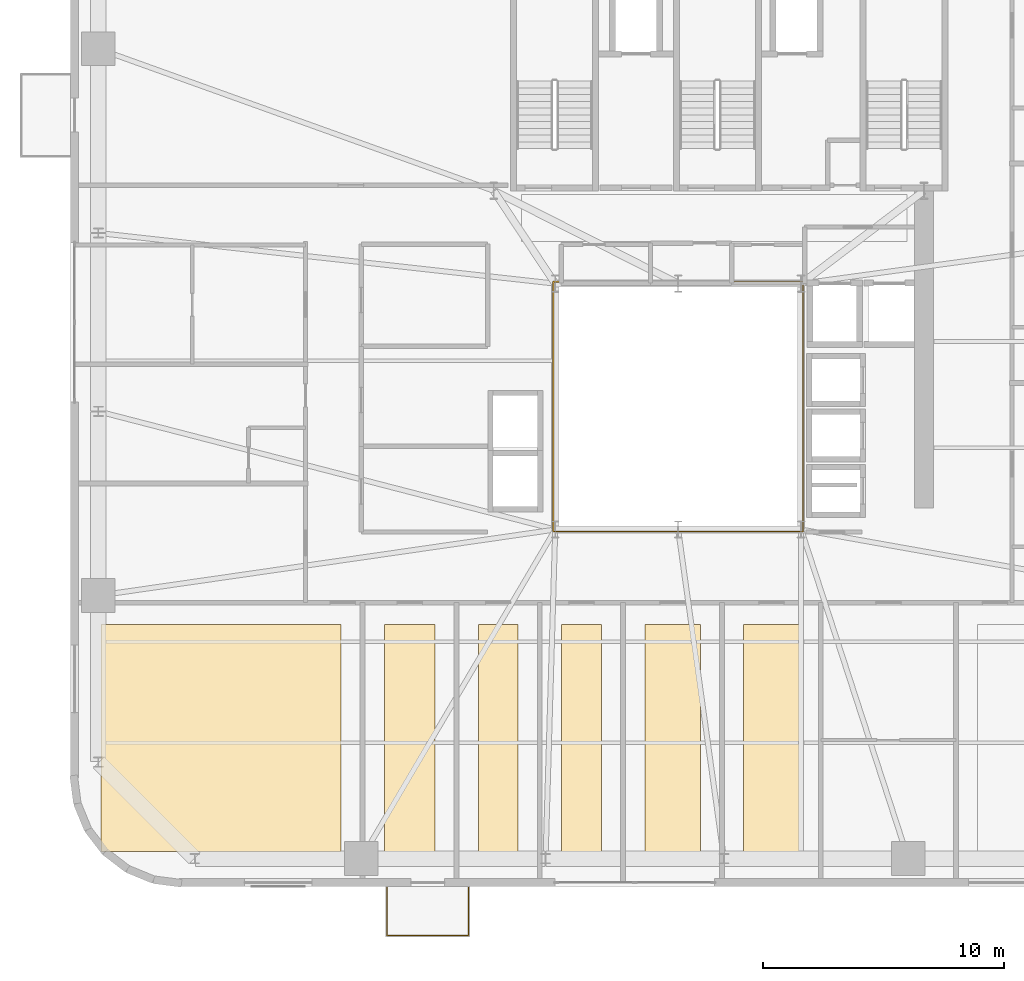
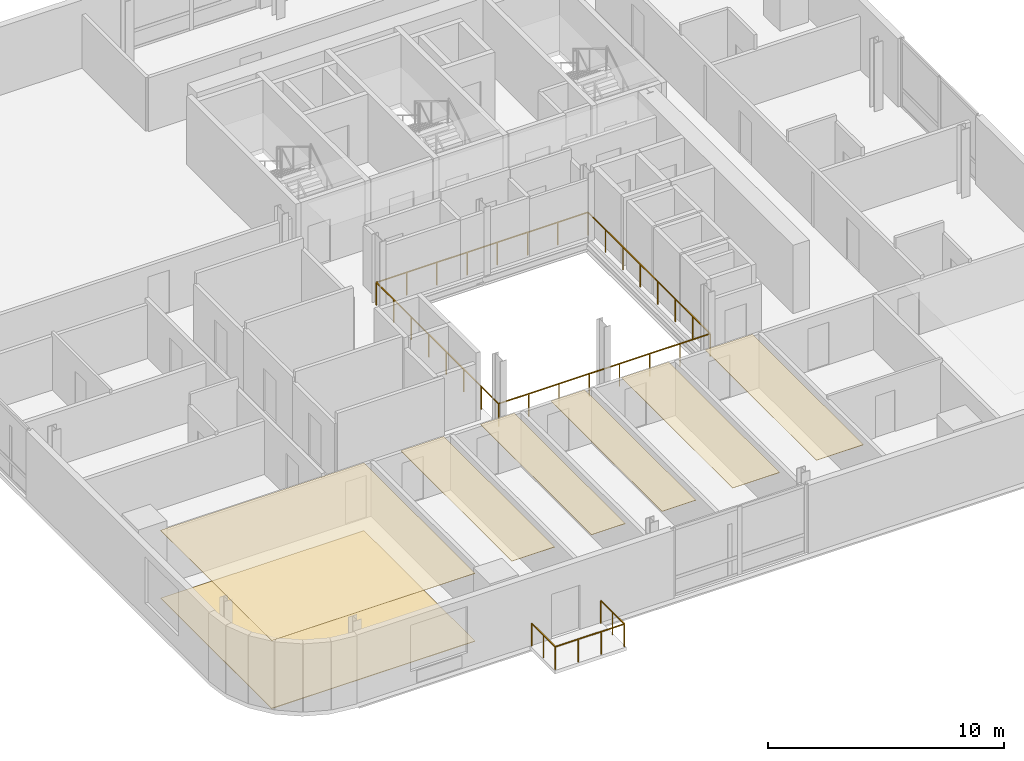
# One storey, part 13 of 17: 7 coverings, 2 railings.
"""IFC4 building model written with IfcOpenShell, lengths in metres."""

from ifc_helpers import new_model, si_unit, direction, frame, origin, origin_2d, place, context, subcontext, project, spatial, polyline, rectangle, outline, extrude, source, transform, mapped, material, layer, layer_set, type_object, element, save


model = new_model("IFC4")

# Units and contexts
model_context = context("Model", 3, precision=1e-05, world=origin(), true_north=direction((0.0, 1.0)))
body_context = subcontext(model_context, "Body", "Model", "MODEL_VIEW")
ifc_project = project(units=[si_unit("LENGTHUNIT", "METRE"), si_unit("AREAUNIT", "SQUARE_METRE"), si_unit("VOLUMEUNIT", "CUBIC_METRE"), si_unit("PLANEANGLEUNIT", "RADIAN"), si_unit("MASSUNIT", "GRAM", prefix="KILO")], contexts=[model_context])

# Site, building, storey
site_placement = place(None, origin())
site = spatial("IfcSite", under=ifc_project, at=site_placement, CompositionType="ELEMENT")
building_placement = place(site_placement, origin())
building = spatial("IfcBuilding", under=site, at=building_placement, Name="Vardaveli Station Tower", CompositionType="ELEMENT")
storey_placement = place(building_placement, frame((0.0, 0.0, 218.550048828125)))
storey = spatial("IfcBuildingStorey", under=building, at=storey_placement, Name="L56", CompositionType="ELEMENT", Elevation=218.550048828125)

# Coverings
ifc_material_1 = material(Name="Perforated acoustic mineral ceiling")
ifc_layer_1 = layer(ifc_material_1, 0.02001953125, Name="Perforated acoustic mineral ceiling")
ifc_layer_set_1 = layer_set([ifc_layer_1], Name="Perforated acoustic mineral ceiling")
covering_type_1 = type_object("IfcCoveringType", Name="COV-CEIL-AC20", PredefinedType="CEILING", material=ifc_layer_set_1)
covering_1_placement = place(storey_placement, frame((0.0, 0.0, 3.514892578125)))
element("IfcCovering", 1, at=covering_1_placement, inside=storey, type_object=covering_type_1, Name="CEIL-L56-1", PredefinedType="CEILING", context=body_context, shape_type="SweptSolid", body=[
    extrude(outline(polyline([(12.35009765625, 3.25), (22.31005859375, 3.25), (22.31005859375, 12.669921875), (12.35009765625, 12.669921875), (12.35009765625, 3.25)])), origin(), (0.0, 0.0, 1.0), 0.02001953125),
])
covering_2_placement = place(storey_placement, frame((0.0, 0.0, 3.514892578125)))
element("IfcCovering", 2, at=covering_2_placement, inside=storey, type_object=covering_type_1, Name="CEIL-L56-2", PredefinedType="CEILING", context=body_context, shape_type="SweptSolid", body=[
    extrude(outline(polyline([(24.110107421875, 3.25), (26.21044921875, 3.25), (26.21044921875, 12.669921875), (24.110107421875, 12.669921875), (24.110107421875, 3.25)])), origin(), (0.0, 0.0, 1.0), 0.02001953125),
])
covering_3_placement = place(storey_placement, frame((0.0, 0.0, 3.514892578125)))
element("IfcCovering", 3, at=covering_3_placement, inside=storey, type_object=covering_type_1, Name="CEIL-L56-3", PredefinedType="CEILING", context=body_context, shape_type="SweptSolid", body=[
    extrude(outline(polyline([(28.010498046875, 3.25), (29.660400390625, 3.25), (29.660400390625, 12.669921875), (28.010498046875, 12.669921875), (28.010498046875, 3.25)])), origin(), (0.0, 0.0, 1.0), 0.02001953125),
])
covering_4_placement = place(storey_placement, frame((0.0, 0.0, 3.514892578125)))
element("IfcCovering", 4, at=covering_4_placement, inside=storey, type_object=covering_type_1, Name="CEIL-L56-4", PredefinedType="CEILING", context=body_context, shape_type="SweptSolid", body=[
    extrude(outline(polyline([(31.46044921875, 3.25), (33.114990234375, 3.25), (33.114990234375, 12.669921875), (31.46044921875, 12.669921875), (31.46044921875, 3.25)])), origin(), (0.0, 0.0, 1.0), 0.02001953125),
])
covering_5_placement = place(storey_placement, frame((0.0, 0.0, 3.514892578125)))
element("IfcCovering", 5, at=covering_5_placement, inside=storey, type_object=covering_type_1, Name="CEIL-L56-5", PredefinedType="CEILING", context=body_context, shape_type="SweptSolid", body=[
    extrude(outline(polyline([(34.9150390625, 3.25), (37.216796875, 3.25), (37.216796875, 12.669921875), (34.9150390625, 12.669921875), (34.9150390625, 3.25)])), origin(), (0.0, 0.0, 1.0), 0.02001953125),
])
covering_6_placement = place(storey_placement, frame((0.0, 0.0, 3.514892578125)))
element("IfcCovering", 6, at=covering_6_placement, inside=storey, type_object=covering_type_1, Name="CEIL-L56-6", PredefinedType="CEILING", context=body_context, shape_type="SweptSolid", body=[
    extrude(outline(polyline([(39.0166015625, 3.25), (41.318359375, 3.25), (41.318359375, 12.669921875), (39.0166015625, 12.669921875), (39.0166015625, 3.25)])), origin(), (0.0, 0.0, 1.0), 0.02001953125),
])
ifc_material_2 = material(Name="Honed Caucasian basalt and travertine flooring", Category="masonry")
ifc_layer_2 = layer(ifc_material_2, 0.030029296875, Name="Honed Caucasian basalt and travertine flooring")
ifc_layer_set_2 = layer_set([ifc_layer_2], Name="Honed Caucasian basalt and travertine flooring")
covering_type_2 = type_object("IfcCoveringType", Name="COV-FLOOR-ST30", PredefinedType="FLOORING", material=ifc_layer_set_2)
covering_7_placement = place(storey_placement, origin())
element("IfcCovering", 7, at=covering_7_placement, inside=storey, type_object=covering_type_2, Name="FLR-L56-1", PredefinedType="FLOORING", context=body_context, shape_type="SweptSolid", body=[
    extrude(outline(polyline([(12.35009765625, 3.25), (22.31005859375, 3.25), (22.31005859375, 12.669921875), (12.35009765625, 12.669921875), (12.35009765625, 3.25)])), origin(), (0.0, 0.0, 1.0), 0.030029296875),
])

# Railings
ifc_material_3 = material(Name="Laminated glass and stainless steel balustrade", Category="steel")
railing_type = type_object("IfcRailingType", Name="RL-BAL-1200", PredefinedType="BALUSTRADE", material=ifc_material_3)
shared_shape_1 = source(origin(), body_context, "Body", "SweptSolid", [
    extrude(rectangle(XDim=0.048095703125, YDim=0.048095703125, at=origin_2d()), frame((0.0, 0.0, 1.17578125), z_axis=(0.0, -1.0, 0.0), x_axis=(1.0, 0.0, 0.0)), (0.0, 0.0, 1.0), 2.0),
    extrude(rectangle(XDim=0.048095703125, YDim=0.048095703125, at=origin_2d()), frame((0.0, -2.0, 1.17578125), z_axis=(1.0, 0.0, 0.0), x_axis=(0.0, 1.0, 0.0)), (0.0, 0.0, 1.0), 3.3798828125),
    extrude(rectangle(XDim=0.048095703125, YDim=0.048095703125, at=origin_2d()), frame((3.3798828125, -2.0, 1.17578125), z_axis=(0.0, 1.0, 0.0), x_axis=(-1.0, 0.0, 0.0)), (0.0, 0.0, 1.0), 2.0),
    extrude(rectangle(XDim=0.0419921875, YDim=0.0419921875, at=origin_2d()), origin(), (0.0, 0.0, 1.0), 1.15185546875),
    extrude(rectangle(XDim=0.0419921875, YDim=0.0419921875, at=origin_2d()), frame((0.0, -1.0, 0.0)), (0.0, 0.0, 1.0), 1.15185546875),
    extrude(rectangle(XDim=0.0419921875, YDim=0.0419921875, at=origin_2d()), frame((0.0, -2.0, 0.0)), (0.0, 0.0, 1.0), 1.15185546875),
    extrude(rectangle(XDim=0.0419921875, YDim=0.0419921875, at=origin_2d()), frame((1.126708984375, -2.0, 0.0)), (0.0, 0.0, 1.0), 1.15185546875),
    extrude(rectangle(XDim=0.0419921875, YDim=0.0419921875, at=origin_2d()), frame((2.253173828125, -2.0, 0.0)), (0.0, 0.0, 1.0), 1.15185546875),
    extrude(rectangle(XDim=0.0419921875, YDim=0.0419921875, at=origin_2d()), frame((3.3798828125, -2.0, 0.0)), (0.0, 0.0, 1.0), 1.15185546875),
    extrude(rectangle(XDim=0.0419921875, YDim=0.0419921875, at=origin_2d()), frame((3.3798828125, -1.0, 0.0)), (0.0, 0.0, 1.0), 1.15185546875),
    extrude(rectangle(XDim=0.0419921875, YDim=0.0419921875, at=origin_2d()), frame((3.3798828125, 0.0, 0.0)), (0.0, 0.0, 1.0), 1.15185546875),
])
railing_1_placement = place(storey_placement, frame((24.220458984375, 1.760009765625, 0.0)))
element("IfcRailing", 8, at=railing_1_placement, inside=storey, type_object=railing_type, Name="RL-LOG-L56-01", PredefinedType="BALUSTRADE", context=body_context, shape_type="MappedRepresentation", body=[
    mapped(shared_shape_1, transform((0.0, 0.0, 0.0), scale=1.0)),
])
shared_shape_2 = source(origin(), body_context, "Body", "SweptSolid", [
    extrude(rectangle(XDim=0.048095703125, YDim=0.048095703125, at=origin_2d()), frame((0.0, 0.0, 1.17578125), z_axis=(1.0, 0.0, 0.0), x_axis=(0.0, 1.0, 0.0)), (0.0, 0.0, 1.0), 10.35986328125),
    extrude(rectangle(XDim=0.048095703125, YDim=0.048095703125, at=origin_2d()), frame((10.35986328125, 0.0, 1.17578125), z_axis=(0.0, 1.0, 0.0), x_axis=(-1.0, 0.0, 0.0)), (0.0, 0.0, 1.0), 10.35986328125),
    extrude(rectangle(XDim=0.048095703125, YDim=0.048095703125, at=origin_2d()), frame((10.35986328125, 10.35986328125, 1.17578125), z_axis=(-1.0, 0.0, 0.0), x_axis=(0.0, -1.0, 0.0)), (0.0, 0.0, 1.0), 10.35986328125),
    extrude(rectangle(XDim=0.048095703125, YDim=0.048095703125, at=origin_2d()), frame((0.0, 10.35986328125, 1.17578125), z_axis=(0.0, -1.0, 0.0), x_axis=(1.0, 0.0, 0.0)), (0.0, 0.0, 1.0), 10.35986328125),
    extrude(rectangle(XDim=0.0419921875, YDim=0.0419921875, at=origin_2d()), origin(), (0.0, 0.0, 1.0), 1.15185546875),
    extrude(rectangle(XDim=0.0419921875, YDim=0.0419921875, at=origin_2d()), frame((1.47998046875, 0.0, 0.0)), (0.0, 0.0, 1.0), 1.15185546875),
    extrude(rectangle(XDim=0.0419921875, YDim=0.0419921875, at=origin_2d()), frame((2.9599609375, 0.0, 0.0)), (0.0, 0.0, 1.0), 1.15185546875),
    extrude(rectangle(XDim=0.0419921875, YDim=0.0419921875, at=origin_2d()), frame((4.43994140625, 0.0, 0.0)), (0.0, 0.0, 1.0), 1.15185546875),
    extrude(rectangle(XDim=0.0419921875, YDim=0.0419921875, at=origin_2d()), frame((5.919921875, 0.0, 0.0)), (0.0, 0.0, 1.0), 1.15185546875),
    extrude(rectangle(XDim=0.0419921875, YDim=0.0419921875, at=origin_2d()), frame((7.39990234375, 0.0, 0.0)), (0.0, 0.0, 1.0), 1.15185546875),
    extrude(rectangle(XDim=0.0419921875, YDim=0.0419921875, at=origin_2d()), frame((8.8798828125, 0.0, 0.0)), (0.0, 0.0, 1.0), 1.15185546875),
    extrude(rectangle(XDim=0.0419921875, YDim=0.0419921875, at=origin_2d()), frame((10.35986328125, 0.0, 0.0)), (0.0, 0.0, 1.0), 1.15185546875),
    extrude(rectangle(XDim=0.0419921875, YDim=0.0419921875, at=origin_2d()), frame((10.35986328125, 1.47998046875, 0.0)), (0.0, 0.0, 1.0), 1.15185546875),
    extrude(rectangle(XDim=0.0419921875, YDim=0.0419921875, at=origin_2d()), frame((10.35986328125, 2.9599609375, 0.0)), (0.0, 0.0, 1.0), 1.15185546875),
    extrude(rectangle(XDim=0.0419921875, YDim=0.0419921875, at=origin_2d()), frame((10.35986328125, 4.43994140625, 0.0)), (0.0, 0.0, 1.0), 1.15185546875),
    extrude(rectangle(XDim=0.0419921875, YDim=0.0419921875, at=origin_2d()), frame((10.35986328125, 5.919921875, 0.0)), (0.0, 0.0, 1.0), 1.15185546875),
    extrude(rectangle(XDim=0.0419921875, YDim=0.0419921875, at=origin_2d()), frame((10.35986328125, 7.39990234375, 0.0)), (0.0, 0.0, 1.0), 1.15185546875),
    extrude(rectangle(XDim=0.0419921875, YDim=0.0419921875, at=origin_2d()), frame((10.35986328125, 8.8798828125, 0.0)), (0.0, 0.0, 1.0), 1.15185546875),
    extrude(rectangle(XDim=0.0419921875, YDim=0.0419921875, at=origin_2d()), frame((10.35986328125, 10.35986328125, 0.0)), (0.0, 0.0, 1.0), 1.15185546875),
    extrude(rectangle(XDim=0.0419921875, YDim=0.0419921875, at=origin_2d()), frame((8.8798828125, 10.35986328125, 0.0)), (0.0, 0.0, 1.0), 1.15185546875),
    extrude(rectangle(XDim=0.0419921875, YDim=0.0419921875, at=origin_2d()), frame((7.39990234375, 10.35986328125, 0.0)), (0.0, 0.0, 1.0), 1.15185546875),
    extrude(rectangle(XDim=0.0419921875, YDim=0.0419921875, at=origin_2d()), frame((5.919921875, 10.35986328125, 0.0)), (0.0, 0.0, 1.0), 1.15185546875),
    extrude(rectangle(XDim=0.0419921875, YDim=0.0419921875, at=origin_2d()), frame((4.43994140625, 10.35986328125, 0.0)), (0.0, 0.0, 1.0), 1.15185546875),
    extrude(rectangle(XDim=0.0419921875, YDim=0.0419921875, at=origin_2d()), frame((2.9599609375, 10.35986328125, 0.0)), (0.0, 0.0, 1.0), 1.15185546875),
    extrude(rectangle(XDim=0.0419921875, YDim=0.0419921875, at=origin_2d()), frame((1.47998046875, 10.35986328125, 0.0)), (0.0, 0.0, 1.0), 1.15185546875),
    extrude(rectangle(XDim=0.0419921875, YDim=0.0419921875, at=origin_2d()), frame((0.0, 10.35986328125, 0.0)), (0.0, 0.0, 1.0), 1.15185546875),
    extrude(rectangle(XDim=0.0419921875, YDim=0.0419921875, at=origin_2d()), frame((0.0, 8.8798828125, 0.0)), (0.0, 0.0, 1.0), 1.15185546875),
    extrude(rectangle(XDim=0.0419921875, YDim=0.0419921875, at=origin_2d()), frame((0.0, 7.39990234375, 0.0)), (0.0, 0.0, 1.0), 1.15185546875),
    extrude(rectangle(XDim=0.0419921875, YDim=0.0419921875, at=origin_2d()), frame((0.0, 5.919921875, 0.0)), (0.0, 0.0, 1.0), 1.15185546875),
    extrude(rectangle(XDim=0.0419921875, YDim=0.0419921875, at=origin_2d()), frame((0.0, 4.43994140625, 0.0)), (0.0, 0.0, 1.0), 1.15185546875),
    extrude(rectangle(XDim=0.0419921875, YDim=0.0419921875, at=origin_2d()), frame((0.0, 2.9599609375, 0.0)), (0.0, 0.0, 1.0), 1.15185546875),
    extrude(rectangle(XDim=0.0419921875, YDim=0.0419921875, at=origin_2d()), frame((0.0, 1.47998046875, 0.0)), (0.0, 0.0, 1.0), 1.15185546875),
])
railing_2_placement = place(storey_placement, frame((31.1201171875, 16.52001953125, 0.0)))
element("IfcRailing", 9, at=railing_2_placement, inside=storey, type_object=railing_type, Name="RL-ATR-L56", PredefinedType="BALUSTRADE", context=body_context, shape_type="MappedRepresentation", body=[
    mapped(shared_shape_2, transform((0.0, 0.0, 0.0), scale=1.0)),
])

save(model, "model.ifc")
